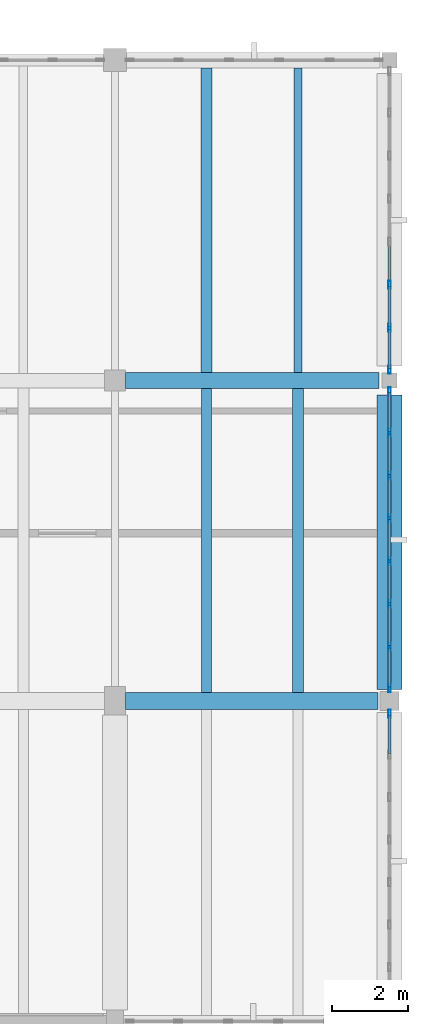
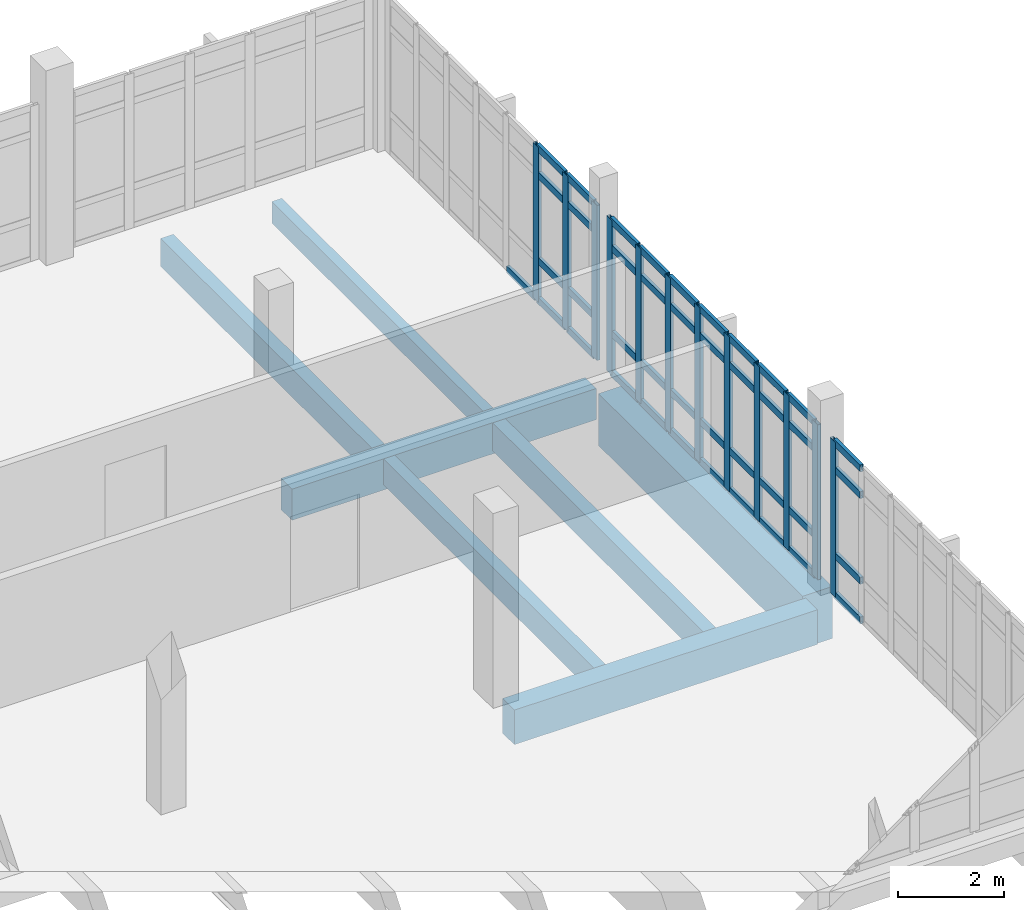
# One storey, part 38 of 57: 53 members, 7 beams, 3 elements without a shape of their own.
"""IFC4 building model written with IfcOpenShell, lengths in metres."""

from ifc_helpers import new_model, si_unit, direction, frame, origin, origin_2d, place, context, subcontext, project, spatial, rectangle, hollow_rectangle, extrude, material, material_profile, profile_set, type_object, element, aggregate, save


model = new_model("IFC4")

# Units and contexts
model_context = context("Model", 3, precision=1e-05, world=origin(), true_north=direction((0.0, 1.0)))
body_context = subcontext(model_context, "Body", "Model", "MODEL_VIEW")
ifc_project = project(units=[si_unit("LENGTHUNIT", "METRE"), si_unit("AREAUNIT", "SQUARE_METRE"), si_unit("VOLUMEUNIT", "CUBIC_METRE"), si_unit("PLANEANGLEUNIT", "RADIAN"), si_unit("MASSUNIT", "GRAM", prefix="KILO")], contexts=[model_context])

# Site, building, storey
site_placement = place(None, origin())
site = spatial("IfcSite", under=ifc_project, at=site_placement, CompositionType="ELEMENT")
building_placement = place(site_placement, origin())
building = spatial("IfcBuilding", under=site, at=building_placement, Name="Kalluvel Institute of Natural Sciences", CompositionType="ELEMENT")
storey_placement = place(building_placement, frame((0.0, 0.0, 23.39990234375)))
storey = spatial("IfcBuildingStorey", under=building, at=storey_placement, Name="L05", CompositionType="ELEMENT", Elevation=23.39990234375)

# Beams
ifc_material_1 = material(Name="Concrete M40", Category="concrete")
ifc_material_profile_1 = material_profile(ifc_material_1, rectangle(XDim=0.419921875, YDim=0.719970703125, at=origin_2d()), Name="RCB 420x720")
ifc_profile_set_1 = profile_set([ifc_material_profile_1], Name="Concrete M40")
beam_type_1 = type_object("IfcBeamType", Name="BM-RC420x720", PredefinedType="BEAM", material=ifc_profile_set_1)
beam_1_placement = place(storey_placement, frame((107.875, 119.60009765625, -0.679931640625), z_axis=(1.0, 0.0, 0.0), x_axis=(0.0, 1.0, 0.0)))
element("IfcBeam", 1, at=beam_1_placement, inside=storey, type_object=beam_type_1, Name="L05 girder GIR-L05-EW-X1076-Y1196", PredefinedType="BEAM", context=body_context, shape_type="SweptSolid", body=[
    extrude(rectangle(XDim=0.419921875, YDim=0.719970703125, at=origin_2d()), origin(), (0.0, 0.0, 1.0), 6.64990234375),
])
ifc_material_profile_2 = material_profile(ifc_material_1, rectangle(XDim=0.449951171875, YDim=0.800048828125, at=origin_2d()), Name="RCB 450x800")
ifc_profile_set_2 = profile_set([ifc_material_profile_2], Name="Concrete M40")
beam_type_2 = type_object("IfcBeamType", Name="BM-RC450x800", PredefinedType="BEAM", material=ifc_profile_set_2)
beam_2_placement = place(storey_placement, frame((107.875, 111.199951171875, -0.719970703125), z_axis=(1.0, 0.0, 0.0), x_axis=(0.0, 1.0, 0.0)))
element("IfcBeam", 2, at=beam_2_placement, inside=storey, type_object=beam_type_2, Name="L05 girder GIR-L05-EW-X1076-Y1112", PredefinedType="BEAM", context=body_context, shape_type="SweptSolid", body=[
    extrude(rectangle(XDim=0.449951171875, YDim=0.800048828125, at=origin_2d()), origin(), (0.0, 0.0, 1.0), 6.625),
])
ifc_material_2 = material(Name="Concrete M50", Category="concrete")
ifc_material_profile_3 = material_profile(ifc_material_2, rectangle(XDim=0.64990234375, YDim=1.199951171875, at=origin_2d()), Name="RCB 650x1200")
ifc_profile_set_3 = profile_set([ifc_material_profile_3], Name="Concrete M50")
beam_type_3 = type_object("IfcBeamType", Name="BM-RC650x1200", PredefinedType="BEAM", material=ifc_profile_set_3)
beam_3_placement = place(storey_placement, frame((114.800048828125, 111.5, -0.919921875), z_axis=(0.0, 1.0, 0.0), x_axis=(-1.0, 0.0, 0.0)))
element("IfcBeam", 3, at=beam_3_placement, inside=storey, type_object=beam_type_3, Name="L05 girder GIR-L05-NS-X1148-Y1112", PredefinedType="BEAM", context=body_context, shape_type="SweptSolid", body=[
    extrude(rectangle(XDim=0.64990234375, YDim=1.199951171875, at=origin_2d()), origin(), (0.0, 0.0, 1.0), 7.72509765625),
])

# Curtain wall, member
ifc_material_3 = material(Name="Aluminium AW-6063 T6", Category="aluminium")
curtain_wall_type = type_object("IfcCurtainWallType", Name="CW-WET-45", PredefinedType="USERDEFINED", material=ifc_material_3)
curtain_wall_1_placement = place(storey_placement, origin())
curtain_wall_1 = element("IfcCurtainWall", 4, at=curtain_wall_1_placement, inside=storey, type_object=curtain_wall_type, Name="L05 Gothic lancet curtain wall CWA-L05-X1148-Y1031", ObjectType="UNITISED LANCET FACADE", PredefinedType="USERDEFINED")
ifc_material_profile_4 = material_profile(ifc_material_3, hollow_rectangle(XDim=0.070068359375, YDim=0.2099609375, WallThickness=0.0048828125, at=origin_2d()), Name="CWM 70x210")
ifc_profile_set_4 = profile_set([ifc_material_profile_4], Name="Aluminium AW-6063 T6")
member_type_1 = type_object("IfcMemberType", Name="CWM-70x210", PredefinedType="MULLION", material=ifc_profile_set_4)
member_1_placement = place(storey_placement, frame((114.800048828125, 110.864990234375, 0.0), z_axis=(0.0, 0.0, 1.0), x_axis=(-1.0, 0.0, 0.0)))
member_1 = element("IfcMember", 5, at=member_1_placement, type_object=member_type_1, Name="CW-01 mullion 8", PredefinedType="MULLION", context=body_context, shape_type="SweptSolid", body=[
    extrude(hollow_rectangle(XDim=0.070068359375, YDim=0.2099609375, WallThickness=0.0048828125, at=origin_2d()), origin(), (0.0, 0.0, 1.0), 3.580078125),
])

# Curtain wall, members
curtain_wall_2_placement = place(storey_placement, origin())
curtain_wall_2 = element("IfcCurtainWall", 6, at=curtain_wall_2_placement, inside=storey, type_object=curtain_wall_type, Name="L05 Gothic lancet curtain wall CWA-L05-X1148-Y1115", ObjectType="UNITISED LANCET FACADE", PredefinedType="USERDEFINED")
member_2_placement = place(storey_placement, frame((114.800048828125, 111.534912109375, 0.0), z_axis=(0.0, 0.0, 1.0), x_axis=(-1.0, 0.0, 0.0)))
member_2 = element("IfcMember", 7, at=member_2_placement, type_object=member_type_1, Name="CW-01 mullion 1", PredefinedType="MULLION", context=body_context, shape_type="SweptSolid", body=[
    extrude(hollow_rectangle(XDim=0.070068359375, YDim=0.2099609375, WallThickness=0.0048828125, at=origin_2d()), origin(), (0.0, 0.0, 1.0), 3.580078125),
])
member_3_placement = place(storey_placement, frame((114.800048828125, 112.621337890625, 0.0), z_axis=(0.0, 0.0, 1.0), x_axis=(-1.0, 0.0, 0.0)))
member_3 = element("IfcMember", 8, at=member_3_placement, type_object=member_type_1, Name="CW-01 mullion 2", PredefinedType="MULLION", context=body_context, shape_type="SweptSolid", body=[
    extrude(hollow_rectangle(XDim=0.070068359375, YDim=0.2099609375, WallThickness=0.0048828125, at=origin_2d()), origin(), (0.0, 0.0, 1.0), 3.580078125),
])
member_4_placement = place(storey_placement, frame((114.800048828125, 113.742919921875, 0.0), z_axis=(0.0, 0.0, 1.0), x_axis=(-1.0, 0.0, 0.0)))
member_4 = element("IfcMember", 9, at=member_4_placement, type_object=member_type_1, Name="CW-01 mullion 3", PredefinedType="MULLION", context=body_context, shape_type="SweptSolid", body=[
    extrude(hollow_rectangle(XDim=0.070068359375, YDim=0.2099609375, WallThickness=0.0048828125, at=origin_2d()), origin(), (0.0, 0.0, 1.0), 3.580078125),
])
member_5_placement = place(storey_placement, frame((114.800048828125, 114.8642578125, 0.0), z_axis=(0.0, 0.0, 1.0), x_axis=(-1.0, 0.0, 0.0)))
member_5 = element("IfcMember", 10, at=member_5_placement, type_object=member_type_1, Name="CW-01 mullion 4", PredefinedType="MULLION", context=body_context, shape_type="SweptSolid", body=[
    extrude(hollow_rectangle(XDim=0.070068359375, YDim=0.2099609375, WallThickness=0.0048828125, at=origin_2d()), origin(), (0.0, 0.0, 1.0), 3.580078125),
])
member_6_placement = place(storey_placement, frame((114.800048828125, 115.985595703125, 0.0), z_axis=(0.0, 0.0, 1.0), x_axis=(-1.0, 0.0, 0.0)))
member_6 = element("IfcMember", 11, at=member_6_placement, type_object=member_type_1, Name="CW-01 mullion 5", PredefinedType="MULLION", context=body_context, shape_type="SweptSolid", body=[
    extrude(hollow_rectangle(XDim=0.070068359375, YDim=0.2099609375, WallThickness=0.0048828125, at=origin_2d()), origin(), (0.0, 0.0, 1.0), 3.580078125),
])
member_7_placement = place(storey_placement, frame((114.800048828125, 117.107177734375, 0.0), z_axis=(0.0, 0.0, 1.0), x_axis=(-1.0, 0.0, 0.0)))
member_7 = element("IfcMember", 12, at=member_7_placement, type_object=member_type_1, Name="CW-01 mullion 6", PredefinedType="MULLION", context=body_context, shape_type="SweptSolid", body=[
    extrude(hollow_rectangle(XDim=0.070068359375, YDim=0.2099609375, WallThickness=0.0048828125, at=origin_2d()), origin(), (0.0, 0.0, 1.0), 3.580078125),
])
member_8_placement = place(storey_placement, frame((114.800048828125, 118.228515625, 0.0), z_axis=(0.0, 0.0, 1.0), x_axis=(-1.0, 0.0, 0.0)))
member_8 = element("IfcMember", 13, at=member_8_placement, type_object=member_type_1, Name="CW-01 mullion 7", PredefinedType="MULLION", context=body_context, shape_type="SweptSolid", body=[
    extrude(hollow_rectangle(XDim=0.070068359375, YDim=0.2099609375, WallThickness=0.0048828125, at=origin_2d()), origin(), (0.0, 0.0, 1.0), 3.580078125),
])
member_9_placement = place(storey_placement, frame((114.800048828125, 119.31494140625, 0.0), z_axis=(0.0, 0.0, 1.0), x_axis=(-1.0, 0.0, 0.0)))
member_9 = element("IfcMember", 14, at=member_9_placement, type_object=member_type_1, Name="CW-01 mullion 8", PredefinedType="MULLION", context=body_context, shape_type="SweptSolid", body=[
    extrude(hollow_rectangle(XDim=0.070068359375, YDim=0.2099609375, WallThickness=0.0048828125, at=origin_2d()), origin(), (0.0, 0.0, 1.0), 3.580078125),
])

curtain_wall_3_placement = place(storey_placement, origin())
curtain_wall_3 = element("IfcCurtainWall", 15, at=curtain_wall_3_placement, inside=storey, type_object=curtain_wall_type, Name="L05 Gothic lancet curtain wall CWA-L05-X1148-Y1198", ObjectType="UNITISED LANCET FACADE", PredefinedType="USERDEFINED")
member_10_placement = place(storey_placement, frame((114.800048828125, 119.885009765625, 0.0), z_axis=(0.0, 0.0, 1.0), x_axis=(-1.0, 0.0, 0.0)))
member_10 = element("IfcMember", 16, at=member_10_placement, type_object=member_type_1, Name="CW-01 mullion 1", PredefinedType="MULLION", context=body_context, shape_type="SweptSolid", body=[
    extrude(hollow_rectangle(XDim=0.070068359375, YDim=0.2099609375, WallThickness=0.0048828125, at=origin_2d()), origin(), (0.0, 0.0, 1.0), 3.580078125),
])
member_11_placement = place(storey_placement, frame((114.800048828125, 120.978515625, 0.0), z_axis=(0.0, 0.0, 1.0), x_axis=(-1.0, 0.0, 0.0)))
member_11 = element("IfcMember", 17, at=member_11_placement, type_object=member_type_1, Name="CW-01 mullion 2", PredefinedType="MULLION", context=body_context, shape_type="SweptSolid", body=[
    extrude(hollow_rectangle(XDim=0.070068359375, YDim=0.2099609375, WallThickness=0.0048828125, at=origin_2d()), origin(), (0.0, 0.0, 1.0), 3.580078125),
])
member_12_placement = place(storey_placement, frame((114.800048828125, 122.107177734375, 0.0), z_axis=(0.0, 0.0, 1.0), x_axis=(-1.0, 0.0, 0.0)))
member_12 = element("IfcMember", 18, at=member_12_placement, type_object=member_type_1, Name="CW-01 mullion 3", PredefinedType="MULLION", context=body_context, shape_type="SweptSolid", body=[
    extrude(hollow_rectangle(XDim=0.070068359375, YDim=0.2099609375, WallThickness=0.0048828125, at=origin_2d()), origin(), (0.0, 0.0, 1.0), 3.580078125),
])

# Member
ifc_material_profile_5 = material_profile(ifc_material_3, hollow_rectangle(XDim=0.070068359375, YDim=0.159912109375, WallThickness=0.0048828125, at=origin_2d()), Name="CWT 70x160")
ifc_profile_set_5 = profile_set([ifc_material_profile_5], Name="Aluminium AW-6063 T6")
member_type_2 = type_object("IfcMemberType", Name="CWT-70x160", PredefinedType="USERDEFINED", material=ifc_profile_set_5)
member_13_placement = place(storey_placement, frame((114.800048828125, 109.82080078125, 0.03515625), z_axis=(0.0, 1.0, 0.0), x_axis=(-1.0, 0.0, 0.0)))
member_13 = element("IfcMember", 19, at=member_13_placement, type_object=member_type_2, Name="CW-01 transom 7.1", ObjectType="TRANSOM", PredefinedType="USERDEFINED", context=body_context, shape_type="SweptSolid", body=[
    extrude(hollow_rectangle(XDim=0.070068359375, YDim=0.159912109375, WallThickness=0.0048828125, at=origin_2d()), origin(), (0.0, 0.0, 1.0), 1.00927734375),
])

member_14_placement = place(storey_placement, frame((114.800048828125, 109.82080078125, 0.9501953125), z_axis=(0.0, 1.0, 0.0), x_axis=(-1.0, 0.0, 0.0)))
member_14 = element("IfcMember", 20, at=member_14_placement, type_object=member_type_2, Name="CW-01 transom 7.2", ObjectType="TRANSOM", PredefinedType="USERDEFINED", context=body_context, shape_type="SweptSolid", body=[
    extrude(hollow_rectangle(XDim=0.070068359375, YDim=0.159912109375, WallThickness=0.0048828125, at=origin_2d()), origin(), (0.0, 0.0, 1.0), 1.00927734375),
])

member_15_placement = place(storey_placement, frame((114.800048828125, 109.82080078125, 2.93017578125), z_axis=(0.0, 1.0, 0.0), x_axis=(-1.0, 0.0, 0.0)))
member_15 = element("IfcMember", 21, at=member_15_placement, type_object=member_type_2, Name="CW-01 transom 7.3", ObjectType="TRANSOM", PredefinedType="USERDEFINED", context=body_context, shape_type="SweptSolid", body=[
    extrude(hollow_rectangle(XDim=0.070068359375, YDim=0.159912109375, WallThickness=0.0048828125, at=origin_2d()), origin(), (0.0, 0.0, 1.0), 1.00927734375),
])

member_16_placement = place(storey_placement, frame((114.800048828125, 109.82080078125, 3.545166015625), z_axis=(0.0, 1.0, 0.0), x_axis=(-1.0, 0.0, 0.0)))
member_16 = element("IfcMember", 22, at=member_16_placement, type_object=member_type_2, Name="CW-01 transom 7.4", ObjectType="TRANSOM", PredefinedType="USERDEFINED", context=body_context, shape_type="SweptSolid", body=[
    extrude(hollow_rectangle(XDim=0.070068359375, YDim=0.159912109375, WallThickness=0.0048828125, at=origin_2d()), origin(), (0.0, 0.0, 1.0), 1.00927734375),
])

aggregate(curtain_wall_1, [member_1, member_13, member_14, member_15, member_16])

member_17_placement = place(storey_placement, frame((114.800048828125, 111.570068359375, 0.03515625), z_axis=(0.0, 1.0, 0.0), x_axis=(-1.0, 0.0, 0.0)))
member_17 = element("IfcMember", 23, at=member_17_placement, type_object=member_type_2, Name="CW-01 transom 1.1", ObjectType="TRANSOM", PredefinedType="USERDEFINED", context=body_context, shape_type="SweptSolid", body=[
    extrude(hollow_rectangle(XDim=0.070068359375, YDim=0.159912109375, WallThickness=0.0048828125, at=origin_2d()), origin(), (0.0, 0.0, 1.0), 1.016357421875),
])

member_18_placement = place(storey_placement, frame((114.800048828125, 111.570068359375, 0.9501953125), z_axis=(0.0, 1.0, 0.0), x_axis=(-1.0, 0.0, 0.0)))
member_18 = element("IfcMember", 24, at=member_18_placement, type_object=member_type_2, Name="CW-01 transom 1.2", ObjectType="TRANSOM", PredefinedType="USERDEFINED", context=body_context, shape_type="SweptSolid", body=[
    extrude(hollow_rectangle(XDim=0.070068359375, YDim=0.159912109375, WallThickness=0.0048828125, at=origin_2d()), origin(), (0.0, 0.0, 1.0), 1.016357421875),
])

member_19_placement = place(storey_placement, frame((114.800048828125, 111.570068359375, 2.93017578125), z_axis=(0.0, 1.0, 0.0), x_axis=(-1.0, 0.0, 0.0)))
member_19 = element("IfcMember", 25, at=member_19_placement, type_object=member_type_2, Name="CW-01 transom 1.3", ObjectType="TRANSOM", PredefinedType="USERDEFINED", context=body_context, shape_type="SweptSolid", body=[
    extrude(hollow_rectangle(XDim=0.070068359375, YDim=0.159912109375, WallThickness=0.0048828125, at=origin_2d()), origin(), (0.0, 0.0, 1.0), 1.016357421875),
])

member_20_placement = place(storey_placement, frame((114.800048828125, 111.570068359375, 3.545166015625), z_axis=(0.0, 1.0, 0.0), x_axis=(-1.0, 0.0, 0.0)))
member_20 = element("IfcMember", 26, at=member_20_placement, type_object=member_type_2, Name="CW-01 transom 1.4", ObjectType="TRANSOM", PredefinedType="USERDEFINED", context=body_context, shape_type="SweptSolid", body=[
    extrude(hollow_rectangle(XDim=0.070068359375, YDim=0.159912109375, WallThickness=0.0048828125, at=origin_2d()), origin(), (0.0, 0.0, 1.0), 1.016357421875),
])

member_21_placement = place(storey_placement, frame((114.800048828125, 112.656494140625, 0.03515625), z_axis=(0.0, 1.0, 0.0), x_axis=(-1.0, 0.0, 0.0)))
member_21 = element("IfcMember", 27, at=member_21_placement, type_object=member_type_2, Name="CW-01 transom 2.1", ObjectType="TRANSOM", PredefinedType="USERDEFINED", context=body_context, shape_type="SweptSolid", body=[
    extrude(hollow_rectangle(XDim=0.070068359375, YDim=0.159912109375, WallThickness=0.0048828125, at=origin_2d()), origin(), (0.0, 0.0, 1.0), 1.05126953125),
])

member_22_placement = place(storey_placement, frame((114.800048828125, 112.656494140625, 0.9501953125), z_axis=(0.0, 1.0, 0.0), x_axis=(-1.0, 0.0, 0.0)))
member_22 = element("IfcMember", 28, at=member_22_placement, type_object=member_type_2, Name="CW-01 transom 2.2", ObjectType="TRANSOM", PredefinedType="USERDEFINED", context=body_context, shape_type="SweptSolid", body=[
    extrude(hollow_rectangle(XDim=0.070068359375, YDim=0.159912109375, WallThickness=0.0048828125, at=origin_2d()), origin(), (0.0, 0.0, 1.0), 1.05126953125),
])

member_23_placement = place(storey_placement, frame((114.800048828125, 112.656494140625, 2.93017578125), z_axis=(0.0, 1.0, 0.0), x_axis=(-1.0, 0.0, 0.0)))
member_23 = element("IfcMember", 29, at=member_23_placement, type_object=member_type_2, Name="CW-01 transom 2.3", ObjectType="TRANSOM", PredefinedType="USERDEFINED", context=body_context, shape_type="SweptSolid", body=[
    extrude(hollow_rectangle(XDim=0.070068359375, YDim=0.159912109375, WallThickness=0.0048828125, at=origin_2d()), origin(), (0.0, 0.0, 1.0), 1.05126953125),
])

member_24_placement = place(storey_placement, frame((114.800048828125, 112.656494140625, 3.545166015625), z_axis=(0.0, 1.0, 0.0), x_axis=(-1.0, 0.0, 0.0)))
member_24 = element("IfcMember", 30, at=member_24_placement, type_object=member_type_2, Name="CW-01 transom 2.4", ObjectType="TRANSOM", PredefinedType="USERDEFINED", context=body_context, shape_type="SweptSolid", body=[
    extrude(hollow_rectangle(XDim=0.070068359375, YDim=0.159912109375, WallThickness=0.0048828125, at=origin_2d()), origin(), (0.0, 0.0, 1.0), 1.05126953125),
])

member_25_placement = place(storey_placement, frame((114.800048828125, 113.77783203125, 0.03515625), z_axis=(0.0, 1.0, 0.0), x_axis=(-1.0, 0.0, 0.0)))
member_25 = element("IfcMember", 31, at=member_25_placement, type_object=member_type_2, Name="CW-01 transom 3.1", ObjectType="TRANSOM", PredefinedType="USERDEFINED", context=body_context, shape_type="SweptSolid", body=[
    extrude(hollow_rectangle(XDim=0.070068359375, YDim=0.159912109375, WallThickness=0.0048828125, at=origin_2d()), origin(), (0.0, 0.0, 1.0), 1.051513671875),
])

member_26_placement = place(storey_placement, frame((114.800048828125, 113.77783203125, 0.9501953125), z_axis=(0.0, 1.0, 0.0), x_axis=(-1.0, 0.0, 0.0)))
member_26 = element("IfcMember", 32, at=member_26_placement, type_object=member_type_2, Name="CW-01 transom 3.2", ObjectType="TRANSOM", PredefinedType="USERDEFINED", context=body_context, shape_type="SweptSolid", body=[
    extrude(hollow_rectangle(XDim=0.070068359375, YDim=0.159912109375, WallThickness=0.0048828125, at=origin_2d()), origin(), (0.0, 0.0, 1.0), 1.051513671875),
])

member_27_placement = place(storey_placement, frame((114.800048828125, 113.77783203125, 2.93017578125), z_axis=(0.0, 1.0, 0.0), x_axis=(-1.0, 0.0, 0.0)))
member_27 = element("IfcMember", 33, at=member_27_placement, type_object=member_type_2, Name="CW-01 transom 3.3", ObjectType="TRANSOM", PredefinedType="USERDEFINED", context=body_context, shape_type="SweptSolid", body=[
    extrude(hollow_rectangle(XDim=0.070068359375, YDim=0.159912109375, WallThickness=0.0048828125, at=origin_2d()), origin(), (0.0, 0.0, 1.0), 1.051513671875),
])

member_28_placement = place(storey_placement, frame((114.800048828125, 113.77783203125, 3.545166015625), z_axis=(0.0, 1.0, 0.0), x_axis=(-1.0, 0.0, 0.0)))
member_28 = element("IfcMember", 34, at=member_28_placement, type_object=member_type_2, Name="CW-01 transom 3.4", ObjectType="TRANSOM", PredefinedType="USERDEFINED", context=body_context, shape_type="SweptSolid", body=[
    extrude(hollow_rectangle(XDim=0.070068359375, YDim=0.159912109375, WallThickness=0.0048828125, at=origin_2d()), origin(), (0.0, 0.0, 1.0), 1.051513671875),
])

member_29_placement = place(storey_placement, frame((114.800048828125, 114.899169921875, 0.03515625), z_axis=(0.0, 1.0, 0.0), x_axis=(-1.0, 0.0, 0.0)))
member_29 = element("IfcMember", 35, at=member_29_placement, type_object=member_type_2, Name="CW-01 transom 4.1", ObjectType="TRANSOM", PredefinedType="USERDEFINED", context=body_context, shape_type="SweptSolid", body=[
    extrude(hollow_rectangle(XDim=0.070068359375, YDim=0.159912109375, WallThickness=0.0048828125, at=origin_2d()), origin(), (0.0, 0.0, 1.0), 1.051513671875),
])

member_30_placement = place(storey_placement, frame((114.800048828125, 114.899169921875, 0.9501953125), z_axis=(0.0, 1.0, 0.0), x_axis=(-1.0, 0.0, 0.0)))
member_30 = element("IfcMember", 36, at=member_30_placement, type_object=member_type_2, Name="CW-01 transom 4.2", ObjectType="TRANSOM", PredefinedType="USERDEFINED", context=body_context, shape_type="SweptSolid", body=[
    extrude(hollow_rectangle(XDim=0.070068359375, YDim=0.159912109375, WallThickness=0.0048828125, at=origin_2d()), origin(), (0.0, 0.0, 1.0), 1.051513671875),
])

member_31_placement = place(storey_placement, frame((114.800048828125, 114.899169921875, 2.93017578125), z_axis=(0.0, 1.0, 0.0), x_axis=(-1.0, 0.0, 0.0)))
member_31 = element("IfcMember", 37, at=member_31_placement, type_object=member_type_2, Name="CW-01 transom 4.3", ObjectType="TRANSOM", PredefinedType="USERDEFINED", context=body_context, shape_type="SweptSolid", body=[
    extrude(hollow_rectangle(XDim=0.070068359375, YDim=0.159912109375, WallThickness=0.0048828125, at=origin_2d()), origin(), (0.0, 0.0, 1.0), 1.051513671875),
])

member_32_placement = place(storey_placement, frame((114.800048828125, 114.899169921875, 3.545166015625), z_axis=(0.0, 1.0, 0.0), x_axis=(-1.0, 0.0, 0.0)))
member_32 = element("IfcMember", 38, at=member_32_placement, type_object=member_type_2, Name="CW-01 transom 4.4", ObjectType="TRANSOM", PredefinedType="USERDEFINED", context=body_context, shape_type="SweptSolid", body=[
    extrude(hollow_rectangle(XDim=0.070068359375, YDim=0.159912109375, WallThickness=0.0048828125, at=origin_2d()), origin(), (0.0, 0.0, 1.0), 1.051513671875),
])

member_33_placement = place(storey_placement, frame((114.800048828125, 116.020751953125, 0.03515625), z_axis=(0.0, 1.0, 0.0), x_axis=(-1.0, 0.0, 0.0)))
member_33 = element("IfcMember", 39, at=member_33_placement, type_object=member_type_2, Name="CW-01 transom 5.1", ObjectType="TRANSOM", PredefinedType="USERDEFINED", context=body_context, shape_type="SweptSolid", body=[
    extrude(hollow_rectangle(XDim=0.070068359375, YDim=0.159912109375, WallThickness=0.0048828125, at=origin_2d()), origin(), (0.0, 0.0, 1.0), 1.05126953125),
])

member_34_placement = place(storey_placement, frame((114.800048828125, 116.020751953125, 0.9501953125), z_axis=(0.0, 1.0, 0.0), x_axis=(-1.0, 0.0, 0.0)))
member_34 = element("IfcMember", 40, at=member_34_placement, type_object=member_type_2, Name="CW-01 transom 5.2", ObjectType="TRANSOM", PredefinedType="USERDEFINED", context=body_context, shape_type="SweptSolid", body=[
    extrude(hollow_rectangle(XDim=0.070068359375, YDim=0.159912109375, WallThickness=0.0048828125, at=origin_2d()), origin(), (0.0, 0.0, 1.0), 1.05126953125),
])

member_35_placement = place(storey_placement, frame((114.800048828125, 116.020751953125, 2.93017578125), z_axis=(0.0, 1.0, 0.0), x_axis=(-1.0, 0.0, 0.0)))
member_35 = element("IfcMember", 41, at=member_35_placement, type_object=member_type_2, Name="CW-01 transom 5.3", ObjectType="TRANSOM", PredefinedType="USERDEFINED", context=body_context, shape_type="SweptSolid", body=[
    extrude(hollow_rectangle(XDim=0.070068359375, YDim=0.159912109375, WallThickness=0.0048828125, at=origin_2d()), origin(), (0.0, 0.0, 1.0), 1.05126953125),
])

member_36_placement = place(storey_placement, frame((114.800048828125, 116.020751953125, 3.545166015625), z_axis=(0.0, 1.0, 0.0), x_axis=(-1.0, 0.0, 0.0)))
member_36 = element("IfcMember", 42, at=member_36_placement, type_object=member_type_2, Name="CW-01 transom 5.4", ObjectType="TRANSOM", PredefinedType="USERDEFINED", context=body_context, shape_type="SweptSolid", body=[
    extrude(hollow_rectangle(XDim=0.070068359375, YDim=0.159912109375, WallThickness=0.0048828125, at=origin_2d()), origin(), (0.0, 0.0, 1.0), 1.05126953125),
])

member_37_placement = place(storey_placement, frame((114.800048828125, 117.14208984375, 0.03515625), z_axis=(0.0, 1.0, 0.0), x_axis=(-1.0, 0.0, 0.0)))
member_37 = element("IfcMember", 43, at=member_37_placement, type_object=member_type_2, Name="CW-01 transom 6.1", ObjectType="TRANSOM", PredefinedType="USERDEFINED", context=body_context, shape_type="SweptSolid", body=[
    extrude(hollow_rectangle(XDim=0.070068359375, YDim=0.159912109375, WallThickness=0.0048828125, at=origin_2d()), origin(), (0.0, 0.0, 1.0), 1.051513671875),
])

member_38_placement = place(storey_placement, frame((114.800048828125, 117.14208984375, 0.9501953125), z_axis=(0.0, 1.0, 0.0), x_axis=(-1.0, 0.0, 0.0)))
member_38 = element("IfcMember", 44, at=member_38_placement, type_object=member_type_2, Name="CW-01 transom 6.2", ObjectType="TRANSOM", PredefinedType="USERDEFINED", context=body_context, shape_type="SweptSolid", body=[
    extrude(hollow_rectangle(XDim=0.070068359375, YDim=0.159912109375, WallThickness=0.0048828125, at=origin_2d()), origin(), (0.0, 0.0, 1.0), 1.051513671875),
])

member_39_placement = place(storey_placement, frame((114.800048828125, 117.14208984375, 2.93017578125), z_axis=(0.0, 1.0, 0.0), x_axis=(-1.0, 0.0, 0.0)))
member_39 = element("IfcMember", 45, at=member_39_placement, type_object=member_type_2, Name="CW-01 transom 6.3", ObjectType="TRANSOM", PredefinedType="USERDEFINED", context=body_context, shape_type="SweptSolid", body=[
    extrude(hollow_rectangle(XDim=0.070068359375, YDim=0.159912109375, WallThickness=0.0048828125, at=origin_2d()), origin(), (0.0, 0.0, 1.0), 1.051513671875),
])

member_40_placement = place(storey_placement, frame((114.800048828125, 117.14208984375, 3.545166015625), z_axis=(0.0, 1.0, 0.0), x_axis=(-1.0, 0.0, 0.0)))
member_40 = element("IfcMember", 46, at=member_40_placement, type_object=member_type_2, Name="CW-01 transom 6.4", ObjectType="TRANSOM", PredefinedType="USERDEFINED", context=body_context, shape_type="SweptSolid", body=[
    extrude(hollow_rectangle(XDim=0.070068359375, YDim=0.159912109375, WallThickness=0.0048828125, at=origin_2d()), origin(), (0.0, 0.0, 1.0), 1.051513671875),
])

member_41_placement = place(storey_placement, frame((114.800048828125, 118.263671875, 0.03515625), z_axis=(0.0, 1.0, 0.0), x_axis=(-1.0, 0.0, 0.0)))
member_41 = element("IfcMember", 47, at=member_41_placement, type_object=member_type_2, Name="CW-01 transom 7.1", ObjectType="TRANSOM", PredefinedType="USERDEFINED", context=body_context, shape_type="SweptSolid", body=[
    extrude(hollow_rectangle(XDim=0.070068359375, YDim=0.159912109375, WallThickness=0.0048828125, at=origin_2d()), origin(), (0.0, 0.0, 1.0), 1.016357421875),
])

member_42_placement = place(storey_placement, frame((114.800048828125, 118.263671875, 0.9501953125), z_axis=(0.0, 1.0, 0.0), x_axis=(-1.0, 0.0, 0.0)))
member_42 = element("IfcMember", 48, at=member_42_placement, type_object=member_type_2, Name="CW-01 transom 7.2", ObjectType="TRANSOM", PredefinedType="USERDEFINED", context=body_context, shape_type="SweptSolid", body=[
    extrude(hollow_rectangle(XDim=0.070068359375, YDim=0.159912109375, WallThickness=0.0048828125, at=origin_2d()), origin(), (0.0, 0.0, 1.0), 1.016357421875),
])

member_43_placement = place(storey_placement, frame((114.800048828125, 118.263671875, 2.93017578125), z_axis=(0.0, 1.0, 0.0), x_axis=(-1.0, 0.0, 0.0)))
member_43 = element("IfcMember", 49, at=member_43_placement, type_object=member_type_2, Name="CW-01 transom 7.3", ObjectType="TRANSOM", PredefinedType="USERDEFINED", context=body_context, shape_type="SweptSolid", body=[
    extrude(hollow_rectangle(XDim=0.070068359375, YDim=0.159912109375, WallThickness=0.0048828125, at=origin_2d()), origin(), (0.0, 0.0, 1.0), 1.016357421875),
])

member_44_placement = place(storey_placement, frame((114.800048828125, 118.263671875, 3.545166015625), z_axis=(0.0, 1.0, 0.0), x_axis=(-1.0, 0.0, 0.0)))
member_44 = element("IfcMember", 50, at=member_44_placement, type_object=member_type_2, Name="CW-01 transom 7.4", ObjectType="TRANSOM", PredefinedType="USERDEFINED", context=body_context, shape_type="SweptSolid", body=[
    extrude(hollow_rectangle(XDim=0.070068359375, YDim=0.159912109375, WallThickness=0.0048828125, at=origin_2d()), origin(), (0.0, 0.0, 1.0), 1.016357421875),
])

aggregate(curtain_wall_2, [member_2, member_3, member_4, member_5, member_6, member_7, member_8, member_9, member_17, member_18, member_19, member_20, member_21, member_22, member_23, member_24, member_25, member_26, member_27, member_28, member_29, member_30, member_31, member_32, member_33, member_34, member_35, member_36, member_37, member_38, member_39, member_40, member_41, member_42, member_43, member_44])

member_45_placement = place(storey_placement, frame((114.800048828125, 119.919921875, 0.03515625), z_axis=(0.0, 1.0, 0.0), x_axis=(-1.0, 0.0, 0.0)))
member_45 = element("IfcMember", 51, at=member_45_placement, type_object=member_type_2, Name="CW-01 transom 1.1", ObjectType="TRANSOM", PredefinedType="USERDEFINED", context=body_context, shape_type="SweptSolid", body=[
    extrude(hollow_rectangle(XDim=0.070068359375, YDim=0.159912109375, WallThickness=0.0048828125, at=origin_2d()), origin(), (0.0, 0.0, 1.0), 1.023681640625),
])

member_46_placement = place(storey_placement, frame((114.800048828125, 119.919921875, 0.9501953125), z_axis=(0.0, 1.0, 0.0), x_axis=(-1.0, 0.0, 0.0)))
member_46 = element("IfcMember", 52, at=member_46_placement, type_object=member_type_2, Name="CW-01 transom 1.2", ObjectType="TRANSOM", PredefinedType="USERDEFINED", context=body_context, shape_type="SweptSolid", body=[
    extrude(hollow_rectangle(XDim=0.070068359375, YDim=0.159912109375, WallThickness=0.0048828125, at=origin_2d()), origin(), (0.0, 0.0, 1.0), 1.023681640625),
])

member_47_placement = place(storey_placement, frame((114.800048828125, 119.919921875, 2.93017578125), z_axis=(0.0, 1.0, 0.0), x_axis=(-1.0, 0.0, 0.0)))
member_47 = element("IfcMember", 53, at=member_47_placement, type_object=member_type_2, Name="CW-01 transom 1.3", ObjectType="TRANSOM", PredefinedType="USERDEFINED", context=body_context, shape_type="SweptSolid", body=[
    extrude(hollow_rectangle(XDim=0.070068359375, YDim=0.159912109375, WallThickness=0.0048828125, at=origin_2d()), origin(), (0.0, 0.0, 1.0), 1.023681640625),
])

member_48_placement = place(storey_placement, frame((114.800048828125, 119.919921875, 3.545166015625), z_axis=(0.0, 1.0, 0.0), x_axis=(-1.0, 0.0, 0.0)))
member_48 = element("IfcMember", 54, at=member_48_placement, type_object=member_type_2, Name="CW-01 transom 1.4", ObjectType="TRANSOM", PredefinedType="USERDEFINED", context=body_context, shape_type="SweptSolid", body=[
    extrude(hollow_rectangle(XDim=0.070068359375, YDim=0.159912109375, WallThickness=0.0048828125, at=origin_2d()), origin(), (0.0, 0.0, 1.0), 1.023681640625),
])

member_49_placement = place(storey_placement, frame((114.800048828125, 121.013671875, 0.03515625), z_axis=(0.0, 1.0, 0.0), x_axis=(-1.0, 0.0, 0.0)))
member_49 = element("IfcMember", 55, at=member_49_placement, type_object=member_type_2, Name="CW-01 transom 2.1", ObjectType="TRANSOM", PredefinedType="USERDEFINED", context=body_context, shape_type="SweptSolid", body=[
    extrude(hollow_rectangle(XDim=0.070068359375, YDim=0.159912109375, WallThickness=0.0048828125, at=origin_2d()), origin(), (0.0, 0.0, 1.0), 1.058349609375),
])

member_50_placement = place(storey_placement, frame((114.800048828125, 121.013671875, 0.9501953125), z_axis=(0.0, 1.0, 0.0), x_axis=(-1.0, 0.0, 0.0)))
member_50 = element("IfcMember", 56, at=member_50_placement, type_object=member_type_2, Name="CW-01 transom 2.2", ObjectType="TRANSOM", PredefinedType="USERDEFINED", context=body_context, shape_type="SweptSolid", body=[
    extrude(hollow_rectangle(XDim=0.070068359375, YDim=0.159912109375, WallThickness=0.0048828125, at=origin_2d()), origin(), (0.0, 0.0, 1.0), 1.058349609375),
])

member_51_placement = place(storey_placement, frame((114.800048828125, 121.013671875, 2.93017578125), z_axis=(0.0, 1.0, 0.0), x_axis=(-1.0, 0.0, 0.0)))
member_51 = element("IfcMember", 57, at=member_51_placement, type_object=member_type_2, Name="CW-01 transom 2.3", ObjectType="TRANSOM", PredefinedType="USERDEFINED", context=body_context, shape_type="SweptSolid", body=[
    extrude(hollow_rectangle(XDim=0.070068359375, YDim=0.159912109375, WallThickness=0.0048828125, at=origin_2d()), origin(), (0.0, 0.0, 1.0), 1.058349609375),
])

member_52_placement = place(storey_placement, frame((114.800048828125, 121.013671875, 3.545166015625), z_axis=(0.0, 1.0, 0.0), x_axis=(-1.0, 0.0, 0.0)))
member_52 = element("IfcMember", 58, at=member_52_placement, type_object=member_type_2, Name="CW-01 transom 2.4", ObjectType="TRANSOM", PredefinedType="USERDEFINED", context=body_context, shape_type="SweptSolid", body=[
    extrude(hollow_rectangle(XDim=0.070068359375, YDim=0.159912109375, WallThickness=0.0048828125, at=origin_2d()), origin(), (0.0, 0.0, 1.0), 1.058349609375),
])

member_53_placement = place(storey_placement, frame((114.800048828125, 122.14208984375, 0.03515625), z_axis=(0.0, 1.0, 0.0), x_axis=(-1.0, 0.0, 0.0)))
member_53 = element("IfcMember", 59, at=member_53_placement, type_object=member_type_2, Name="CW-01 transom 3.1", ObjectType="TRANSOM", PredefinedType="USERDEFINED", context=body_context, shape_type="SweptSolid", body=[
    extrude(hollow_rectangle(XDim=0.070068359375, YDim=0.159912109375, WallThickness=0.0048828125, at=origin_2d()), origin(), (0.0, 0.0, 1.0), 1.05859375),
])

aggregate(curtain_wall_3, [member_10, member_11, member_12, member_45, member_46, member_47, member_48, member_49, member_50, member_51, member_52, member_53])

# Beams
ifc_material_profile_6 = material_profile(ifc_material_1, rectangle(XDim=0.219970703125, YDim=0.5, at=origin_2d()), Name="WAF 220x500")
ifc_profile_set_6 = profile_set([ifc_material_profile_6], Name="Concrete M40")
beam_type_4 = type_object("IfcBeamType", Name="WJ-220x500", PredefinedType="JOIST", material=ifc_profile_set_6)
beam_4_placement = place(storey_placement, frame((112.39990234375, 119.81005859375, -0.56982421875), z_axis=(0.0, 1.0, 0.0), x_axis=(-1.0, 0.0, 0.0)))
element("IfcBeam", 60, at=beam_4_placement, inside=storey, type_object=beam_type_4, Name="L05 waffle joist RIB-L05-0442", PredefinedType="JOIST", context=body_context, shape_type="SweptSolid", body=[
    extrude(rectangle(XDim=0.219970703125, YDim=0.5, at=origin_2d()), origin(), (0.0, 0.0, 1.0), 7.989990234375),
])
ifc_material_profile_7 = material_profile(ifc_material_1, rectangle(XDim=0.25, YDim=0.60009765625, at=origin_2d()), Name="WAF 250x600")
ifc_profile_set_7 = profile_set([ifc_material_profile_7], Name="Concrete M40")
beam_type_5 = type_object("IfcBeamType", Name="WJ-250x600", PredefinedType="JOIST", material=ifc_profile_set_7)
beam_5_placement = place(storey_placement, frame((110.0, 111.425048828125, -0.619873046875), z_axis=(0.0, 1.0, 0.0), x_axis=(-1.0, 0.0, 0.0)))
element("IfcBeam", 61, at=beam_5_placement, inside=storey, type_object=beam_type_5, Name="L05 waffle joist RIB-L05-0439", PredefinedType="JOIST", context=body_context, shape_type="SweptSolid", body=[
    extrude(rectangle(XDim=0.25, YDim=0.60009765625, at=origin_2d()), origin(), (0.0, 0.0, 1.0), 7.96484375),
])
ifc_material_profile_8 = material_profile(ifc_material_2, rectangle(XDim=0.280029296875, YDim=0.64990234375, at=origin_2d()), Name="WAF 280x650")
ifc_profile_set_8 = profile_set([ifc_material_profile_8], Name="Concrete M50")
beam_type_6 = type_object("IfcBeamType", Name="WJ-280x650", PredefinedType="JOIST", material=ifc_profile_set_8)
beam_6_placement = place(storey_placement, frame((112.39990234375, 111.425048828125, -0.64501953125), z_axis=(0.0, 1.0, 0.0), x_axis=(-1.0, 0.0, 0.0)))
element("IfcBeam", 62, at=beam_6_placement, inside=storey, type_object=beam_type_6, Name="L05 waffle joist RIB-L05-0440", PredefinedType="JOIST", context=body_context, shape_type="SweptSolid", body=[
    extrude(rectangle(XDim=0.280029296875, YDim=0.64990234375, at=origin_2d()), origin(), (0.0, 0.0, 1.0), 7.96484375),
])
beam_7_placement = place(storey_placement, frame((110.0, 119.81005859375, -0.64501953125), z_axis=(0.0, 1.0, 0.0), x_axis=(-1.0, 0.0, 0.0)))
element("IfcBeam", 63, at=beam_7_placement, inside=storey, type_object=beam_type_6, Name="L05 waffle joist RIB-L05-0441", PredefinedType="JOIST", context=body_context, shape_type="SweptSolid", body=[
    extrude(rectangle(XDim=0.280029296875, YDim=0.64990234375, at=origin_2d()), origin(), (0.0, 0.0, 1.0), 7.989990234375),
])

save(model, "model.ifc")
